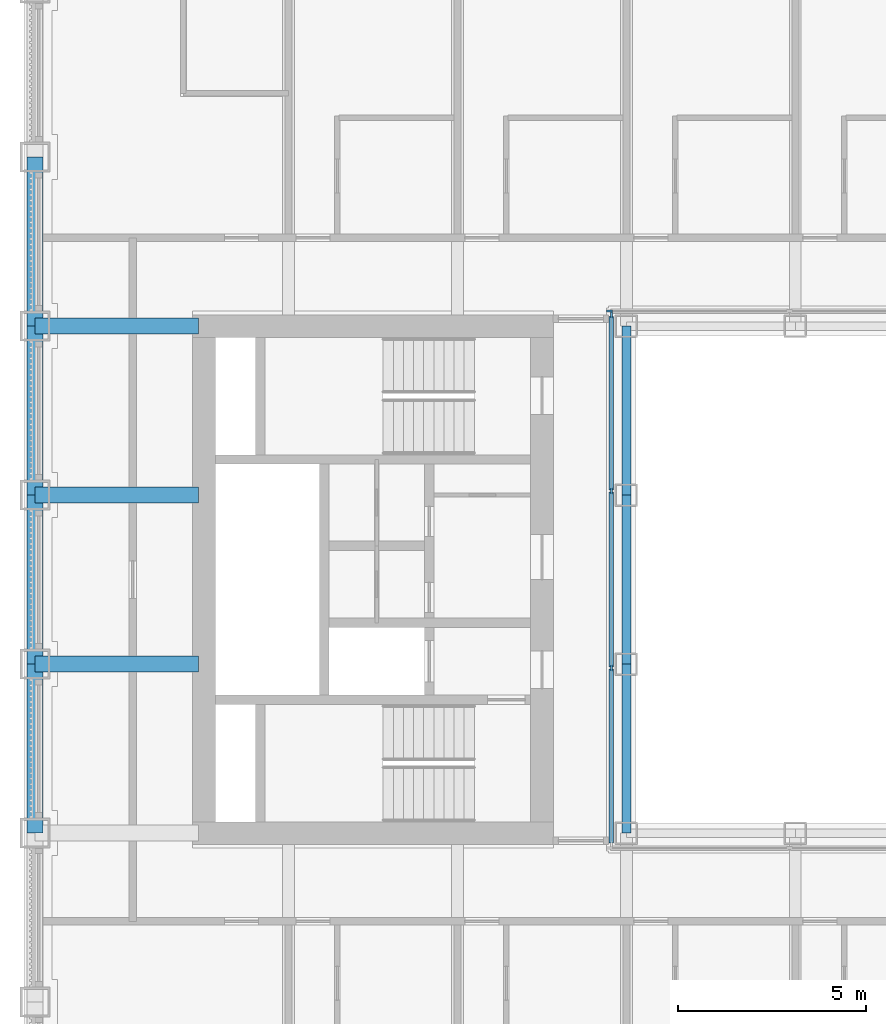
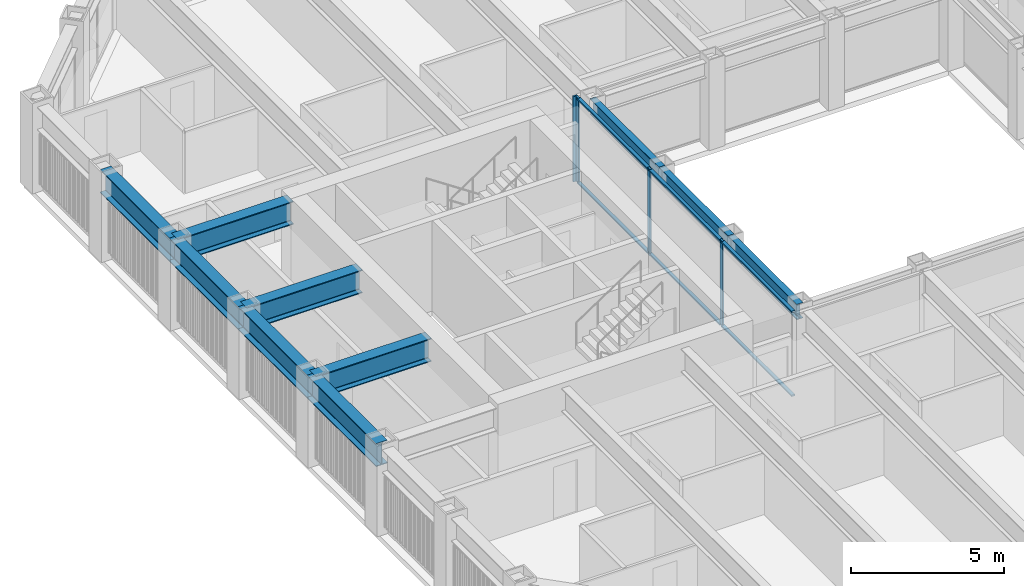
# One storey, part 4 of 18: 10 beams, 10 members, 2 elements without a shape of their own.
"""IFC4 building model written with IfcOpenShell, lengths in metres."""

from ifc_helpers import new_model, si_unit, direction, frame, origin, origin_2d, place, context, subcontext, project, spatial, rectangle, i_section, extrude, material, material_profile, profile_set, type_object, element, aggregate, save


model = new_model("IFC4")

# Units and contexts
model_context = context("Model", 3, precision=1e-05, world=origin(), true_north=direction((0.0, 1.0)))
body_context = subcontext(model_context, "Body", "Model", "MODEL_VIEW")
ifc_project = project(units=[si_unit("LENGTHUNIT", "METRE"), si_unit("AREAUNIT", "SQUARE_METRE"), si_unit("VOLUMEUNIT", "CUBIC_METRE"), si_unit("PLANEANGLEUNIT", "RADIAN"), si_unit("MASSUNIT", "GRAM", prefix="KILO")], contexts=[model_context])

# Site, building, storey
site_placement = place(None, origin())
site = spatial("IfcSite", under=ifc_project, at=site_placement, CompositionType="ELEMENT")
building_placement = place(site_placement, origin())
building = spatial("IfcBuilding", under=site, at=building_placement, Name="Msasa Ring Tower", CompositionType="ELEMENT")
storey_placement = place(building_placement, frame((0.0, 0.0, 118.39990234375)))
storey = spatial("IfcBuildingStorey", under=building, at=storey_placement, Name="L30", CompositionType="ELEMENT", Elevation=118.39990234375)

# Curtain wall, member
ifc_material_1 = material(Name="Aluminium curtain wall with clear glass", Category="aluminium")
curtain_wall_type = type_object("IfcCurtainWallType", Name="CW-W LIGHT WELL CURTAIN WALL", PredefinedType="NOTDEFINED", material=ifc_material_1)
curtain_wall_1_placement = place(storey_placement, origin())
curtain_wall_1 = element("IfcCurtainWall", 1, at=curtain_wall_1_placement, inside=storey, type_object=curtain_wall_type, Name="Light well curtain wall N L30", PredefinedType="NOTDEFINED")
ifc_material_2 = material(Name="Aluminium mullion", Category="aluminium")
ifc_material_profile_1 = material_profile(ifc_material_2, rectangle(XDim=0.06005859375, YDim=0.159912109375, at=origin_2d()), Name="AL 60x160")
ifc_profile_set_1 = profile_set([ifc_material_profile_1], Name="Aluminium mullion")
member_type_1 = type_object("IfcMemberType", Name="CW-W MULLION 60x160", PredefinedType="MULLION", material=ifc_profile_set_1)
member_1_placement = place(storey_placement, frame((-7.199951171875, 7.14990234375, 0.0), z_axis=(0.0, 0.0, 1.0), x_axis=(0.0, 1.0, 0.0)))
member_1 = element("IfcMember", 2, at=member_1_placement, type_object=member_type_1, Name="CW-W mullion 1", PredefinedType="MULLION", context=body_context, shape_type="SweptSolid", body=[
    extrude(rectangle(XDim=0.06005859375, YDim=0.159912109375, at=origin_2d()), origin(), (0.0, 0.0, 1.0), 3.400146484375),
])
aggregate(curtain_wall_1, [member_1])

# Curtain wall, members
curtain_wall_2_placement = place(storey_placement, origin())
curtain_wall_2 = element("IfcCurtainWall", 3, at=curtain_wall_2_placement, inside=storey, type_object=curtain_wall_type, Name="Light well curtain wall W L30", PredefinedType="NOTDEFINED")
member_2_placement = place(storey_placement, frame((-7.14990234375, -2.356689453125, 0.0), z_axis=(0.0, 0.0, 1.0), x_axis=(-1.0, 0.0, 0.0)))
member_2 = element("IfcMember", 4, at=member_2_placement, type_object=member_type_1, Name="CW-W mullion 2", PredefinedType="MULLION", context=body_context, shape_type="SweptSolid", body=[
    extrude(rectangle(XDim=0.06005859375, YDim=0.159912109375, at=origin_2d()), origin(), (0.0, 0.0, 1.0), 3.400146484375),
])
member_3_placement = place(storey_placement, frame((-7.14990234375, 2.356689453125, 0.0), z_axis=(0.0, 0.0, 1.0), x_axis=(-1.0, 0.0, 0.0)))
member_3 = element("IfcMember", 5, at=member_3_placement, type_object=member_type_1, Name="CW-W mullion 3", PredefinedType="MULLION", context=body_context, shape_type="SweptSolid", body=[
    extrude(rectangle(XDim=0.06005859375, YDim=0.159912109375, at=origin_2d()), origin(), (0.0, 0.0, 1.0), 3.400146484375),
])
member_4_placement = place(storey_placement, frame((-7.14990234375, 7.0400390625, 0.0), z_axis=(0.0, 0.0, 1.0), x_axis=(-1.0, 0.0, 0.0)))
member_4 = element("IfcMember", 6, at=member_4_placement, type_object=member_type_1, Name="CW-W mullion 4", PredefinedType="MULLION", context=body_context, shape_type="SweptSolid", body=[
    extrude(rectangle(XDim=0.06005859375, YDim=0.159912109375, at=origin_2d()), origin(), (0.0, 0.0, 1.0), 3.400146484375),
])
ifc_material_3 = material(Name="Aluminium transom", Category="aluminium")
ifc_material_profile_2 = material_profile(ifc_material_3, rectangle(XDim=0.1201171875, YDim=0.06005859375, at=origin_2d()), Name="AL 60x120")
ifc_profile_set_2 = profile_set([ifc_material_profile_2], Name="Aluminium transom")
member_type_2 = type_object("IfcMemberType", Name="CW-W TRANSOM 60x120", PredefinedType="USERDEFINED", material=ifc_profile_set_2)
member_5_placement = place(storey_placement, frame((-7.14990234375, -7.010009765625, 0.030029296875), z_axis=(0.0, 1.0, 0.0), x_axis=(-1.0, 0.0, 0.0)))
member_5 = element("IfcMember", 7, at=member_5_placement, type_object=member_type_2, Name="CW-W transom 1.1", ObjectType="TRANSOM", PredefinedType="USERDEFINED", context=body_context, shape_type="SweptSolid", body=[
    extrude(rectangle(XDim=0.1201171875, YDim=0.06005859375, at=origin_2d()), origin(), (0.0, 0.0, 1.0), 4.623291015625),
])
member_6_placement = place(storey_placement, frame((-7.14990234375, -7.010009765625, 3.3701171875), z_axis=(0.0, 1.0, 0.0), x_axis=(-1.0, 0.0, 0.0)))
member_6 = element("IfcMember", 8, at=member_6_placement, type_object=member_type_2, Name="CW-W transom 1.2", ObjectType="TRANSOM", PredefinedType="USERDEFINED", context=body_context, shape_type="SweptSolid", body=[
    extrude(rectangle(XDim=0.1201171875, YDim=0.06005859375, at=origin_2d()), origin(), (0.0, 0.0, 1.0), 4.623291015625),
])
member_7_placement = place(storey_placement, frame((-7.14990234375, -2.32666015625, 0.030029296875), z_axis=(0.0, 1.0, 0.0), x_axis=(-1.0, 0.0, 0.0)))
member_7 = element("IfcMember", 9, at=member_7_placement, type_object=member_type_2, Name="CW-W transom 2.1", ObjectType="TRANSOM", PredefinedType="USERDEFINED", context=body_context, shape_type="SweptSolid", body=[
    extrude(rectangle(XDim=0.1201171875, YDim=0.06005859375, at=origin_2d()), origin(), (0.0, 0.0, 1.0), 4.6533203125),
])
member_8_placement = place(storey_placement, frame((-7.14990234375, -2.32666015625, 3.3701171875), z_axis=(0.0, 1.0, 0.0), x_axis=(-1.0, 0.0, 0.0)))
member_8 = element("IfcMember", 10, at=member_8_placement, type_object=member_type_2, Name="CW-W transom 2.2", ObjectType="TRANSOM", PredefinedType="USERDEFINED", context=body_context, shape_type="SweptSolid", body=[
    extrude(rectangle(XDim=0.1201171875, YDim=0.06005859375, at=origin_2d()), origin(), (0.0, 0.0, 1.0), 4.6533203125),
])
member_9_placement = place(storey_placement, frame((-7.14990234375, 2.38671875, 0.030029296875), z_axis=(0.0, 1.0, 0.0), x_axis=(-1.0, 0.0, 0.0)))
member_9 = element("IfcMember", 11, at=member_9_placement, type_object=member_type_2, Name="CW-W transom 3.1", ObjectType="TRANSOM", PredefinedType="USERDEFINED", context=body_context, shape_type="SweptSolid", body=[
    extrude(rectangle(XDim=0.1201171875, YDim=0.06005859375, at=origin_2d()), origin(), (0.0, 0.0, 1.0), 4.623291015625),
])
member_10_placement = place(storey_placement, frame((-7.14990234375, 2.38671875, 3.3701171875), z_axis=(0.0, 1.0, 0.0), x_axis=(-1.0, 0.0, 0.0)))
member_10 = element("IfcMember", 12, at=member_10_placement, type_object=member_type_2, Name="CW-W transom 3.2", ObjectType="TRANSOM", PredefinedType="USERDEFINED", context=body_context, shape_type="SweptSolid", body=[
    extrude(rectangle(XDim=0.1201171875, YDim=0.06005859375, at=origin_2d()), origin(), (0.0, 0.0, 1.0), 4.623291015625),
])
aggregate(curtain_wall_2, [member_2, member_3, member_4, member_5, member_6, member_7, member_8, member_9, member_10])

# Beams
ifc_material_4 = material(Name="Steel S355", Category="steel")
ifc_material_profile_3 = material_profile(ifc_material_4, i_section(OverallWidth=0.42041015625, OverallDepth=0.9208984375, WebThickness=0.021484375, FlangeThickness=0.03662109375, FilletRadius=0.024169921875, at=origin_2d()), Name="UB 914x419x388")
ifc_profile_set_3 = profile_set([ifc_material_profile_3], Name="Steel S355")
beam_type_1 = type_object("IfcBeamType", Name="FB2 UB 914x419x388", PredefinedType="BEAM", material=ifc_profile_set_3)
for number, where, z_axis, x_axis, name in (
    (13, (-22.5, -2.25, 2.939697265625), (1.0, 0.0, 0.0), (0.0, 1.0, 0.0), "Floor beam W -2.25 under L31"),
    (14, (-22.5, 2.25, 2.939697265625), (1.0, 0.0, 0.0), (0.0, 1.0, 0.0), "Floor beam W +2.25 under L31"),
):
    element("IfcBeam", number, at=place(storey_placement, frame(where, z_axis=z_axis, x_axis=x_axis)), inside=storey, type_object=beam_type_1, Name=name, PredefinedType="BEAM", context=body_context, shape_type="SweptSolid", body=[
        extrude(i_section(OverallWidth=0.42041015625, OverallDepth=0.9208984375, WebThickness=0.021484375, FlangeThickness=0.03662109375, FilletRadius=0.024169921875, at=origin_2d()), origin(), (0.0, 0.0, 1.0), 4.35009765625),
    ])
ifc_material_5 = material(Name="Steel S355", Category="steel")
ifc_material_profile_4 = material_profile(ifc_material_5, i_section(OverallWidth=0.42041015625, OverallDepth=0.9208984375, WebThickness=0.021484375, FlangeThickness=0.03662109375, FilletRadius=0.024169921875, at=origin_2d()), Name="UB 914x419x388")
ifc_profile_set_4 = profile_set([ifc_material_profile_4], Name="Steel S355")
beam_type_2 = type_object("IfcBeamType", Name="GB1 UB 914x419x388", PredefinedType="BEAM", material=ifc_profile_set_4)
beam_placement = place(storey_placement, frame((-18.14990234375, 6.75, 2.939697265625), z_axis=(-1.0, 0.0, 0.0), x_axis=(0.0, -1.0, 0.0)))
element("IfcBeam", 15, at=beam_placement, inside=storey, type_object=beam_type_2, Name="Girder W +6.75 under L31", PredefinedType="BEAM", context=body_context, shape_type="SweptSolid", body=[
    extrude(i_section(OverallWidth=0.42041015625, OverallDepth=0.9208984375, WebThickness=0.021484375, FlangeThickness=0.03662109375, FilletRadius=0.024169921875, at=origin_2d()), origin(), (0.0, 0.0, 1.0), 4.35009765625),
])
ifc_material_6 = material(Name="Steel S355", Category="steel")
ifc_material_profile_5 = material_profile(ifc_material_6, i_section(OverallWidth=0.230224609375, OverallDepth=0.6171875, WebThickness=0.01318359375, FlangeThickness=0.022216796875, FilletRadius=0.0126953125, at=origin_2d()), Name="UB 610x229x140")
ifc_profile_set_5 = profile_set([ifc_material_profile_5], Name="Steel S355")
beam_type_3 = type_object("IfcBeamType", Name="RB1 UB 610x229x140", PredefinedType="BEAM", material=ifc_profile_set_5)
for number, where, z_axis, x_axis, name in (
    (16, (-6.75, -2.25, 3.091552734375), (0.0, -1.0, 0.0), (1.0, 0.0, 0.0), "Inner ring beam IR-6.75-2.25 under L31"),
    (17, (-6.75, 6.75, 3.091552734375), (0.0, -1.0, 0.0), (1.0, 0.0, 0.0), "Inner ring beam IR-6.75+6.75 under L31"),
    (18, (-6.75, 2.25, 3.091552734375), (0.0, -1.0, 0.0), (1.0, 0.0, 0.0), "Inner ring beam IR-6.75+2.25 under L31"),
):
    element("IfcBeam", number, at=place(storey_placement, frame(where, z_axis=z_axis, x_axis=x_axis)), inside=storey, type_object=beam_type_3, Name=name, PredefinedType="BEAM", context=body_context, shape_type="SweptSolid", body=[
        extrude(i_section(OverallWidth=0.230224609375, OverallDepth=0.6171875, WebThickness=0.01318359375, FlangeThickness=0.022216796875, FilletRadius=0.0126953125, at=origin_2d()), origin(), (0.0, 0.0, 1.0), 4.5),
    ])
ifc_material_7 = material(Name="Steel S355", Category="steel")
ifc_material_profile_6 = material_profile(ifc_material_7, i_section(OverallWidth=0.42041015625, OverallDepth=0.9208984375, WebThickness=0.021484375, FlangeThickness=0.03662109375, FilletRadius=0.024169921875, at=origin_2d()), Name="UB 914x419x388")
ifc_profile_set_6 = profile_set([ifc_material_profile_6], Name="Steel S355")
beam_type_4 = type_object("IfcBeamType", Name="SB1 UB 914x419x388", PredefinedType="SPANDREL", material=ifc_profile_set_6)
for number, where, z_axis, x_axis, name in (
    (19, (-22.5, -2.25, 2.939697265625), (0.0, -1.0, 0.0), (1.0, 0.0, 0.0), "Spandrel W-2.25 to W-6.75 under L31"),
    (20, (-22.5, 11.25, 2.939697265625), (0.0, -1.0, 0.0), (1.0, 0.0, 0.0), "Spandrel W+11.25 to W+6.75 under L31"),
    (21, (-22.5, 6.75, 2.939697265625), (0.0, -1.0, 0.0), (1.0, 0.0, 0.0), "Spandrel W+6.75 to W+2.25 under L31"),
    (22, (-22.5, 2.25, 2.939697265625), (0.0, -1.0, 0.0), (1.0, 0.0, 0.0), "Spandrel W+2.25 to W-2.25 under L31"),
):
    element("IfcBeam", number, at=place(storey_placement, frame(where, z_axis=z_axis, x_axis=x_axis)), inside=storey, type_object=beam_type_4, Name=name, PredefinedType="SPANDREL", context=body_context, shape_type="SweptSolid", body=[
        extrude(i_section(OverallWidth=0.42041015625, OverallDepth=0.9208984375, WebThickness=0.021484375, FlangeThickness=0.03662109375, FilletRadius=0.024169921875, at=origin_2d()), origin(), (0.0, 0.0, 1.0), 4.5),
    ])

save(model, "model.ifc")
